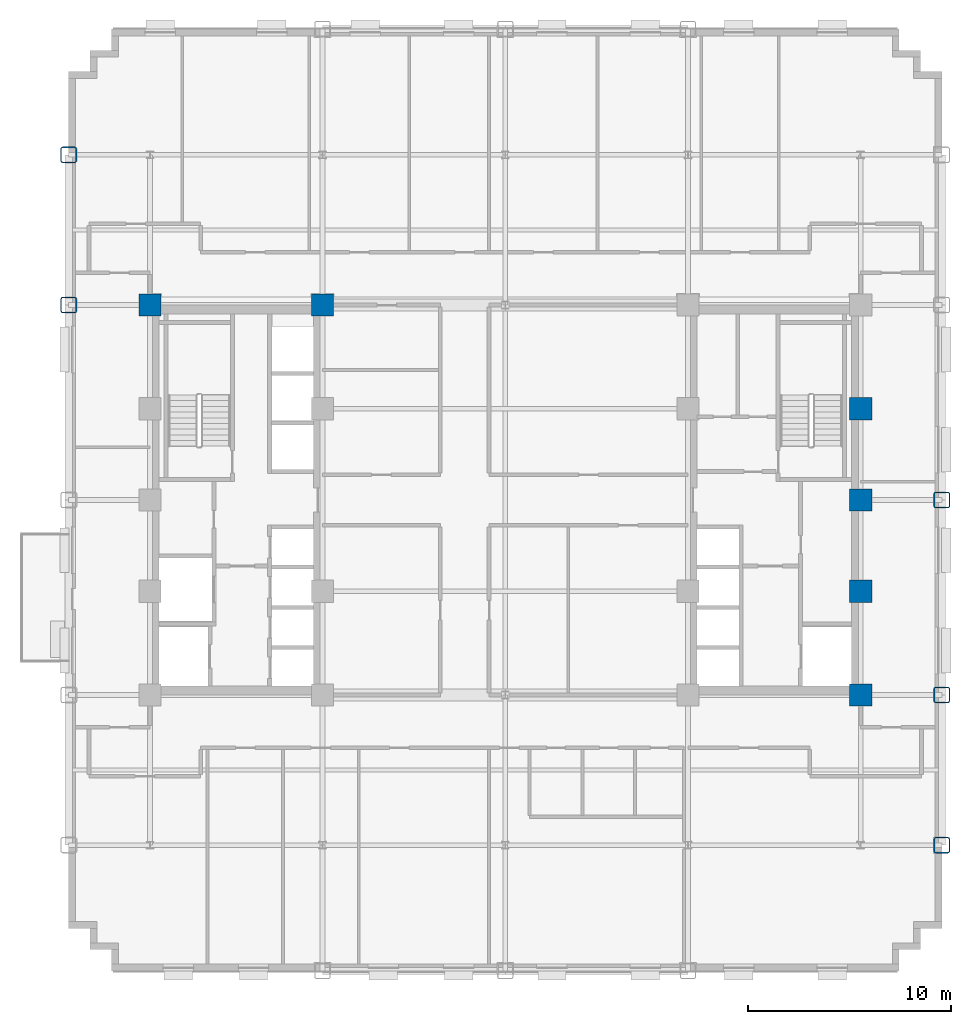
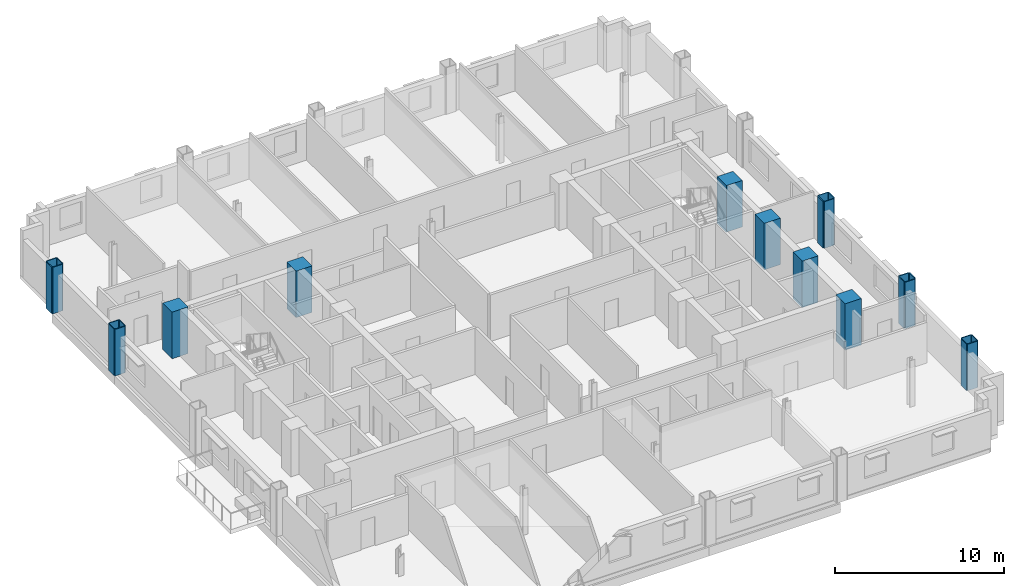
# One storey, part 2 of 14: 11 columns.
"""IFC4 building model written with IfcOpenShell, lengths in metres."""

from ifc_helpers import new_model, si_unit, direction, frame, origin, origin_2d, place, context, subcontext, project, spatial, rectangle, hollow_rectangle, extrude, material, material_profile, profile_set, type_object, element, save


model = new_model("IFC4")

# Units and contexts
model_context = context("Model", 3, precision=1e-05, world=origin(), true_north=direction((0.0, 1.0)))
body_context = subcontext(model_context, "Body", "Model", "MODEL_VIEW")
ifc_project = project(units=[si_unit("LENGTHUNIT", "METRE"), si_unit("AREAUNIT", "SQUARE_METRE"), si_unit("VOLUMEUNIT", "CUBIC_METRE"), si_unit("PLANEANGLEUNIT", "RADIAN"), si_unit("MASSUNIT", "GRAM", prefix="KILO")], contexts=[model_context])

# Site, building, storey
site_placement = place(None, origin())
site = spatial("IfcSite", under=ifc_project, at=site_placement, CompositionType="ELEMENT")
building_placement = place(site_placement, origin())
building = spatial("IfcBuilding", under=site, at=building_placement, Name="Nuvemarco Arch Tower", CompositionType="ELEMENT")
storey_placement = place(building_placement, frame((0.0, 0.0, 67.75)))
storey = spatial("IfcBuildingStorey", under=building, at=storey_placement, Name="L17", CompositionType="ELEMENT", Elevation=67.75)

# Columns
ifc_material_1 = material(Name="Concrete C60/75", Category="concrete")
ifc_material_profile_1 = material_profile(ifc_material_1, rectangle(XDim=1.10009765625, YDim=1.10009765625, at=origin_2d()), Name="RC-COL-1100x1100")
ifc_profile_set_1 = profile_set([ifc_material_profile_1], Name="Concrete C60/75")
column_type_1 = type_object("IfcColumnType", Name="COL-CORE-1100", PredefinedType="COLUMN", material=ifc_profile_set_1)
for number, where, z_axis, x_axis, name in (
    (1, (-17.5, 9.60009765625, 0.0), (0.0, 0.0, 1.0), (1.0, 0.0, 0.0), "L17 column CC_-17.5_+9.6"),
    (2, (-9.0, 9.60009765625, 0.0), (0.0, 0.0, 1.0), (1.0, 0.0, 0.0), "L17 column CC_-9.0_+9.6"),
    (3, (17.5, -9.60009765625, 0.0), (0.0, 0.0, 1.0), (1.0, 0.0, 0.0), "L17 column CC_+17.5_-9.6"),
    (4, (17.5, -4.5, 0.0), (0.0, 0.0, 1.0), (1.0, 0.0, 0.0), "L17 column CC_+17.5_-4.5"),
    (5, (17.5, 4.5, 0.0), (0.0, 0.0, 1.0), (1.0, 0.0, 0.0), "L17 column CC_+17.5_+4.5"),
    (6, (17.5, 0.0, 0.0), (0.0, 0.0, 1.0), (1.0, 0.0, 0.0), "L17 column CC_+17.5_+0.0"),
):
    element("IfcColumn", number, at=place(storey_placement, frame(where, z_axis=z_axis, x_axis=x_axis)), inside=storey, type_object=column_type_1, Name=name, PredefinedType="COLUMN", context=body_context, shape_type="SweptSolid", body=[
        extrude(rectangle(XDim=1.10009765625, YDim=1.10009765625, at=origin_2d()), origin(), (0.0, 0.0, 1.0), 3.3701171875),
    ])
ifc_material_2 = material(Name="Steel S460", Category="steel")
ifc_material_profile_2 = material_profile(ifc_material_2, hollow_rectangle(XDim=0.800048828125, YDim=0.800048828125, WallThickness=0.054931640625, InnerFilletRadius=0.054931640625, OuterFilletRadius=0.110107421875, at=origin_2d()), Name="SHS800x800x55")
ifc_profile_set_2 = profile_set([ifc_material_profile_2], Name="Steel S460")
column_type_2 = type_object("IfcColumnType", Name="COL-EXO-800", PredefinedType="COLUMN", material=ifc_profile_set_2)
for number, where, z_axis, x_axis, name in (
    (7, (-21.5, 9.60009765625, 0.0), (0.0, 0.0, 1.0), (1.0, 0.0, 0.0), "L17 column CX_-21.5_+9.6"),
    (8, (-21.5, 17.0, 0.0), (0.0, 0.0, 1.0), (1.0, 0.0, 0.0), "L17 column CX_-21.5_+17.0"),
    (9, (21.5, -17.0, 0.0), (0.0, 0.0, 1.0), (1.0, 0.0, 0.0), "L17 column CX_+21.5_-17.0"),
    (10, (21.5, -9.60009765625, 0.0), (0.0, 0.0, 1.0), (1.0, 0.0, 0.0), "L17 column CX_+21.5_-9.6"),
    (11, (21.5, 0.0, 0.0), (0.0, 0.0, 1.0), (1.0, 0.0, 0.0), "L17 column CX_+21.5_+0.0"),
):
    element("IfcColumn", number, at=place(storey_placement, frame(where, z_axis=z_axis, x_axis=x_axis)), inside=storey, type_object=column_type_2, Name=name, PredefinedType="COLUMN", context=body_context, shape_type="SweptSolid", body=[
        extrude(hollow_rectangle(XDim=0.800048828125, YDim=0.800048828125, WallThickness=0.054931640625, InnerFilletRadius=0.054931640625, OuterFilletRadius=0.110107421875, at=origin_2d()), origin(), (0.0, 0.0, 1.0), 3.3701171875),
    ])

save(model, "model.ifc")
